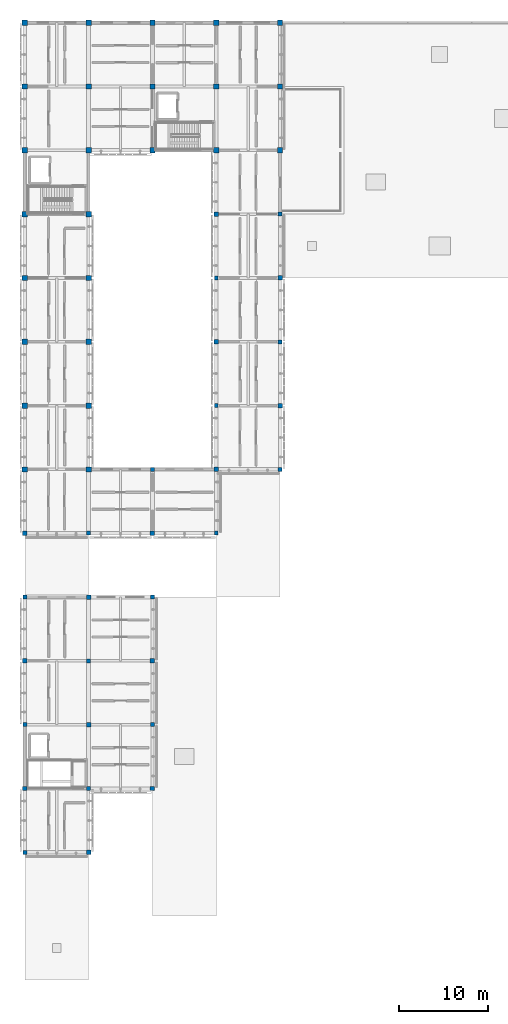
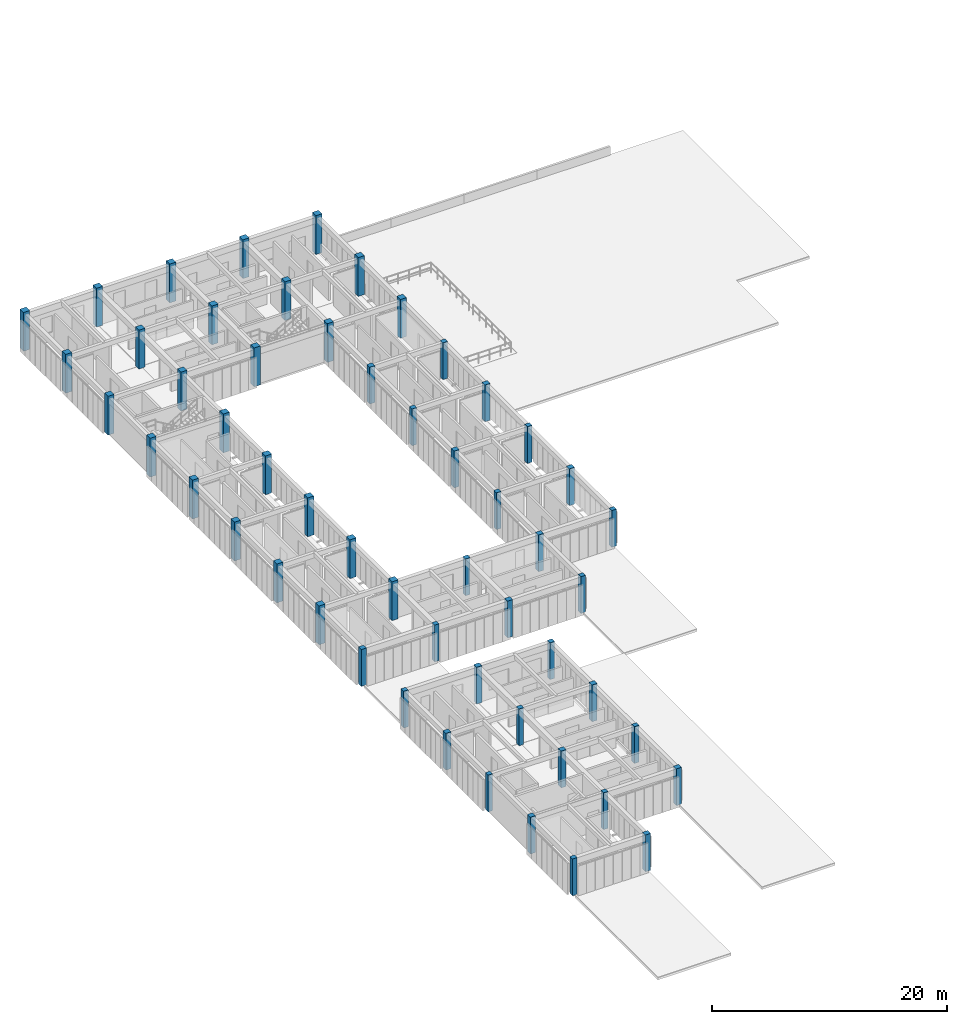
# One storey, part 1 of 67: 54 columns.
"""IFC4 building model written with IfcOpenShell, lengths in metres."""

from ifc_helpers import new_model, si_unit, direction, frame, origin, origin_2d, place, context, subcontext, project, spatial, rectangle, extrude, material, material_profile, profile_set, type_object, element, save


model = new_model("IFC4")

# Units and contexts
model_context = context("Model", 3, precision=1e-05, world=origin(), true_north=direction((0.0, 1.0)))
body_context = subcontext(model_context, "Body", "Model", "MODEL_VIEW")
ifc_project = project(units=[si_unit("LENGTHUNIT", "METRE"), si_unit("AREAUNIT", "SQUARE_METRE"), si_unit("VOLUMEUNIT", "CUBIC_METRE"), si_unit("PLANEANGLEUNIT", "RADIAN"), si_unit("MASSUNIT", "GRAM", prefix="KILO")], contexts=[model_context])

# Site, building, storey
site_placement = place(None, origin())
site = spatial("IfcSite", under=ifc_project, at=site_placement, CompositionType="ELEMENT")
building_placement = place(site_placement, origin())
building = spatial("IfcBuilding", under=site, at=building_placement, Name="Aldebral Square Health Centre", CompositionType="ELEMENT")
storey_placement = place(building_placement, frame((0.0, 0.0, 13.5)))
storey = spatial("IfcBuildingStorey", under=building, at=storey_placement, Name="L03", CompositionType="ELEMENT", Elevation=13.5)

# Columns
ifc_material = material(Name="Concrete C40/50", Category="concrete")
ifc_material_profile_1 = material_profile(ifc_material, rectangle(XDim=0.60009765625, YDim=0.60009765625, at=origin_2d()), Name="RC 600x600")
ifc_profile_set_1 = profile_set([ifc_material_profile_1], Name="Concrete C40/50")
column_type_1 = type_object("IfcColumnType", Name="COL-C3", PredefinedType="COLUMN", material=ifc_profile_set_1)
for number, where, z_axis, x_axis, name in (
    (1, (0.0, 64.800048828125, 0.0), (0.0, 0.0, 1.0), (1.0, 0.0, 0.0), "L03 column 1/10"),
    (2, (0.0, 72.0, 0.0), (0.0, 0.0, 1.0), (1.0, 0.0, 0.0), "L03 column 1/11"),
    (3, (0.0, 79.199951171875, 0.0), (0.0, 0.0, 1.0), (1.0, 0.0, 0.0), "L03 column 1/12"),
    (4, (0.0, 86.39990234375, 0.0), (0.0, 0.0, 1.0), (1.0, 0.0, 0.0), "L03 column 1/13"),
    (5, (0.0, 93.60009765625, 0.0), (0.0, 0.0, 1.0), (1.0, 0.0, 0.0), "L03 column 1/14"),
    (6, (0.0, 100.800048828125, 0.0), (0.0, 0.0, 1.0), (1.0, 0.0, 0.0), "L03 column 1/15"),
    (7, (0.0, 108.0, 0.0), (0.0, 0.0, 1.0), (1.0, 0.0, 0.0), "L03 column 1/16"),
    (8, (0.0, 115.199951171875, 0.0), (0.0, 0.0, 1.0), (1.0, 0.0, 0.0), "L03 column 1/17"),
    (9, (7.199951171875, 64.800048828125, 0.0), (0.0, 0.0, 1.0), (1.0, 0.0, 0.0), "L03 column 2/10"),
    (10, (7.199951171875, 72.0, 0.0), (0.0, 0.0, 1.0), (1.0, 0.0, 0.0), "L03 column 2/11"),
    (11, (7.199951171875, 79.199951171875, 0.0), (0.0, 0.0, 1.0), (1.0, 0.0, 0.0), "L03 column 2/12"),
    (12, (7.199951171875, 86.39990234375, 0.0), (0.0, 0.0, 1.0), (1.0, 0.0, 0.0), "L03 column 2/13"),
    (13, (7.199951171875, 93.60009765625, 0.0), (0.0, 0.0, 1.0), (1.0, 0.0, 0.0), "L03 column 2/14"),
    (14, (7.199951171875, 100.800048828125, 0.0), (0.0, 0.0, 1.0), (1.0, 0.0, 0.0), "L03 column 2/15"),
    (15, (7.199951171875, 108.0, 0.0), (0.0, 0.0, 1.0), (1.0, 0.0, 0.0), "L03 column 2/16"),
    (16, (7.199951171875, 115.199951171875, 0.0), (0.0, 0.0, 1.0), (1.0, 0.0, 0.0), "L03 column 2/17"),
    (17, (14.39990234375, 100.800048828125, 0.0), (0.0, 0.0, 1.0), (1.0, 0.0, 0.0), "L03 column 3/15"),
    (18, (14.39990234375, 108.0, 0.0), (0.0, 0.0, 1.0), (1.0, 0.0, 0.0), "L03 column 3/16"),
    (19, (14.39990234375, 115.199951171875, 0.0), (0.0, 0.0, 1.0), (1.0, 0.0, 0.0), "L03 column 3/17"),
    (20, (21.60009765625, 100.800048828125, 0.0), (0.0, 0.0, 1.0), (1.0, 0.0, 0.0), "L03 column 4/15"),
    (21, (21.60009765625, 108.0, 0.0), (0.0, 0.0, 1.0), (1.0, 0.0, 0.0), "L03 column 4/16"),
    (22, (21.60009765625, 115.199951171875, 0.0), (0.0, 0.0, 1.0), (1.0, 0.0, 0.0), "L03 column 4/17"),
    (23, (28.800048828125, 100.800048828125, 0.0), (0.0, 0.0, 1.0), (1.0, 0.0, 0.0), "L03 column 5/15"),
    (24, (28.800048828125, 108.0, 0.0), (0.0, 0.0, 1.0), (1.0, 0.0, 0.0), "L03 column 5/16"),
    (25, (28.800048828125, 115.199951171875, 0.0), (0.0, 0.0, 1.0), (1.0, 0.0, 0.0), "L03 column 5/17"),
):
    element("IfcColumn", number, at=place(storey_placement, frame(where, z_axis=z_axis, x_axis=x_axis)), inside=storey, type_object=column_type_1, Name=name, PredefinedType="COLUMN", context=body_context, shape_type="SweptSolid", body=[
        extrude(rectangle(XDim=0.60009765625, YDim=0.60009765625, at=origin_2d()), origin(), (0.0, 0.0, 1.0), 4.050048828125),
    ])
ifc_material_profile_2 = material_profile(ifc_material, rectangle(XDim=0.5, YDim=0.5, at=origin_2d()), Name="RC 500x500")
ifc_profile_set_2 = profile_set([ifc_material_profile_2], Name="Concrete C40/50")
column_type_2 = type_object("IfcColumnType", Name="COL-C5", PredefinedType="COLUMN", material=ifc_profile_set_2)
for number, where, z_axis, x_axis, name in (
    (26, (0.0, 28.800048828125, 0.0), (0.0, 0.0, 1.0), (1.0, 0.0, 0.0), "L03 column 1/5"),
    (27, (0.0, 43.199951171875, 0.0), (0.0, 0.0, 1.0), (1.0, 0.0, 0.0), "L03 column 1/7"),
    (28, (0.0, 57.60009765625, 0.0), (0.0, 0.0, 1.0), (1.0, 0.0, 0.0), "L03 column 1/9"),
    (29, (7.199951171875, 21.60009765625, 0.0), (0.0, 0.0, 1.0), (1.0, 0.0, 0.0), "L03 column 2/4"),
    (30, (7.199951171875, 36.0, 0.0), (0.0, 0.0, 1.0), (1.0, 0.0, 0.0), "L03 column 2/6"),
    (31, (7.199951171875, 50.39990234375, 0.0), (0.0, 0.0, 1.0), (1.0, 0.0, 0.0), "L03 column 2/8"),
    (32, (14.39990234375, 28.800048828125, 0.0), (0.0, 0.0, 1.0), (1.0, 0.0, 0.0), "L03 column 3/5"),
    (33, (14.39990234375, 43.199951171875, 0.0), (0.0, 0.0, 1.0), (1.0, 0.0, 0.0), "L03 column 3/7"),
    (34, (14.39990234375, 57.60009765625, 0.0), (0.0, 0.0, 1.0), (1.0, 0.0, 0.0), "L03 column 3/9"),
    (35, (21.60009765625, 64.800048828125, 0.0), (0.0, 0.0, 1.0), (1.0, 0.0, 0.0), "L03 column 4/10"),
    (36, (21.60009765625, 79.199951171875, 0.0), (0.0, 0.0, 1.0), (1.0, 0.0, 0.0), "L03 column 4/12"),
    (37, (21.60009765625, 93.60009765625, 0.0), (0.0, 0.0, 1.0), (1.0, 0.0, 0.0), "L03 column 4/14"),
    (38, (28.800048828125, 72.0, 0.0), (0.0, 0.0, 1.0), (1.0, 0.0, 0.0), "L03 column 5/11"),
    (39, (28.800048828125, 86.39990234375, 0.0), (0.0, 0.0, 1.0), (1.0, 0.0, 0.0), "L03 column 5/13"),
):
    element("IfcColumn", number, at=place(storey_placement, frame(where, z_axis=z_axis, x_axis=x_axis)), inside=storey, type_object=column_type_2, Name=name, PredefinedType="COLUMN", context=body_context, shape_type="SweptSolid", body=[
        extrude(rectangle(XDim=0.5, YDim=0.5, at=origin_2d()), origin(), (0.0, 0.0, 1.0), 3.830078125),
    ])
ifc_material_profile_3 = material_profile(ifc_material, rectangle(XDim=0.449951171875, YDim=0.449951171875, at=origin_2d()), Name="RC 450x450")
ifc_profile_set_3 = profile_set([ifc_material_profile_3], Name="Concrete C40/50")
column_type_3 = type_object("IfcColumnType", Name="COL-C6", PredefinedType="COLUMN", material=ifc_profile_set_3)
for number, where, z_axis, x_axis, name in (
    (40, (0.0, 21.60009765625, 0.0), (0.0, 0.0, 1.0), (1.0, 0.0, 0.0), "L03 column 1/4"),
    (41, (0.0, 36.0, 0.0), (0.0, 0.0, 1.0), (1.0, 0.0, 0.0), "L03 column 1/6"),
    (42, (0.0, 50.39990234375, 0.0), (0.0, 0.0, 1.0), (1.0, 0.0, 0.0), "L03 column 1/8"),
    (43, (7.199951171875, 28.800048828125, 0.0), (0.0, 0.0, 1.0), (1.0, 0.0, 0.0), "L03 column 2/5"),
    (44, (7.199951171875, 43.199951171875, 0.0), (0.0, 0.0, 1.0), (1.0, 0.0, 0.0), "L03 column 2/7"),
    (45, (7.199951171875, 57.60009765625, 0.0), (0.0, 0.0, 1.0), (1.0, 0.0, 0.0), "L03 column 2/9"),
    (46, (14.39990234375, 36.0, 0.0), (0.0, 0.0, 1.0), (1.0, 0.0, 0.0), "L03 column 3/6"),
    (47, (14.39990234375, 50.39990234375, 0.0), (0.0, 0.0, 1.0), (1.0, 0.0, 0.0), "L03 column 3/8"),
    (48, (14.39990234375, 64.800048828125, 0.0), (0.0, 0.0, 1.0), (1.0, 0.0, 0.0), "L03 column 3/10"),
    (49, (21.60009765625, 57.60009765625, 0.0), (0.0, 0.0, 1.0), (1.0, 0.0, 0.0), "L03 column 4/9"),
    (50, (21.60009765625, 72.0, 0.0), (0.0, 0.0, 1.0), (1.0, 0.0, 0.0), "L03 column 4/11"),
    (51, (21.60009765625, 86.39990234375, 0.0), (0.0, 0.0, 1.0), (1.0, 0.0, 0.0), "L03 column 4/13"),
    (52, (28.800048828125, 64.800048828125, 0.0), (0.0, 0.0, 1.0), (1.0, 0.0, 0.0), "L03 column 5/10"),
    (53, (28.800048828125, 79.199951171875, 0.0), (0.0, 0.0, 1.0), (1.0, 0.0, 0.0), "L03 column 5/12"),
    (54, (28.800048828125, 93.60009765625, 0.0), (0.0, 0.0, 1.0), (1.0, 0.0, 0.0), "L03 column 5/14"),
):
    element("IfcColumn", number, at=place(storey_placement, frame(where, z_axis=z_axis, x_axis=x_axis)), inside=storey, type_object=column_type_3, Name=name, PredefinedType="COLUMN", context=body_context, shape_type="SweptSolid", body=[
        extrude(rectangle(XDim=0.449951171875, YDim=0.449951171875, at=origin_2d()), origin(), (0.0, 0.0, 1.0), 3.830078125),
    ])

save(model, "model.ifc")
